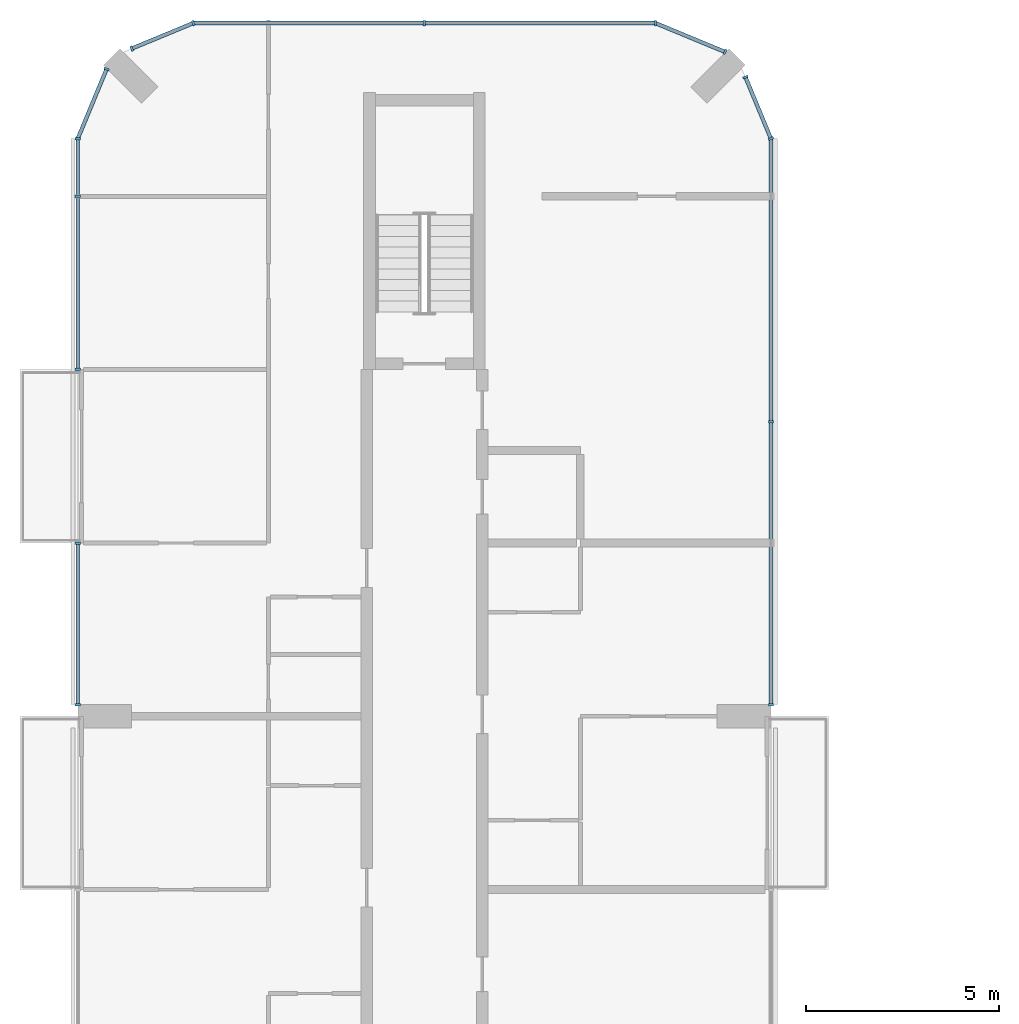
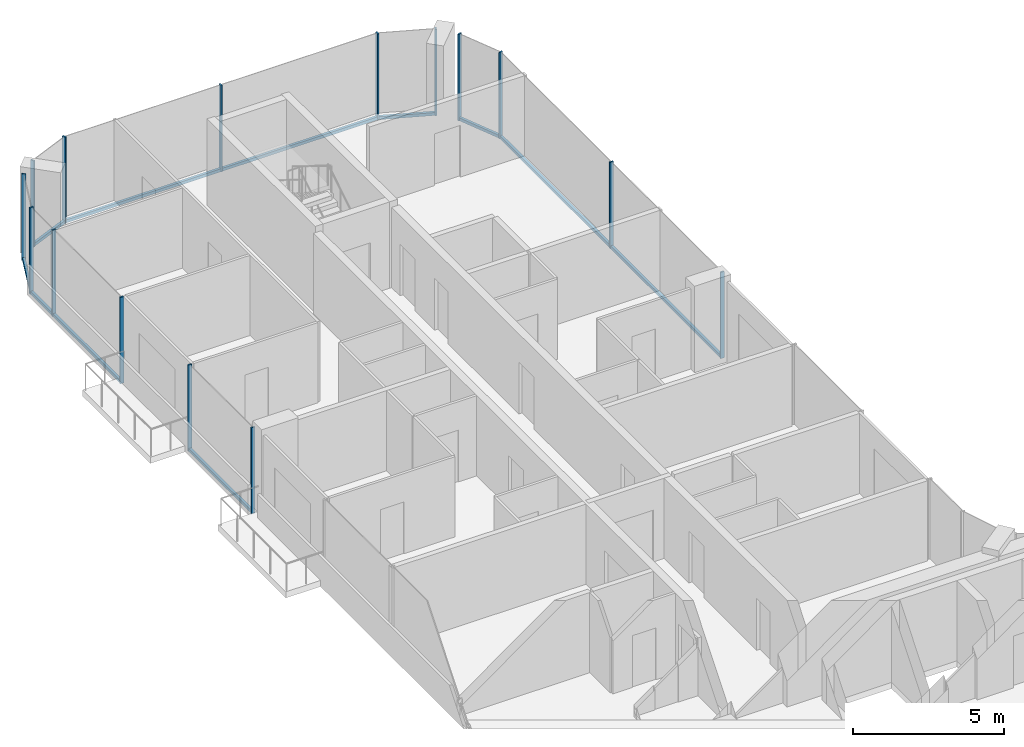
# One storey, part 7 of 15: 23 members, 8 elements without a shape of their own.
"""IFC4 building model written with IfcOpenShell, lengths in metres."""

from ifc_helpers import new_model, si_unit, direction, frame, origin, origin_2d, place, context, subcontext, project, spatial, rectangle, extrude, material, layer, layer_set, material_profile, profile_set, type_object, element, aggregate, save


model = new_model("IFC4")

# Units and contexts
model_context = context("Model", 3, precision=1e-05, world=origin(), true_north=direction((0.0, 1.0)))
body_context = subcontext(model_context, "Body", "Model", "MODEL_VIEW")
ifc_project = project(units=[si_unit("LENGTHUNIT", "METRE"), si_unit("AREAUNIT", "SQUARE_METRE"), si_unit("VOLUMEUNIT", "CUBIC_METRE"), si_unit("PLANEANGLEUNIT", "RADIAN"), si_unit("MASSUNIT", "GRAM", prefix="KILO")], contexts=[model_context])

# Site, building, storey
site_placement = place(None, origin())
site = spatial("IfcSite", under=ifc_project, at=site_placement, CompositionType="ELEMENT")
building_placement = place(site_placement, origin())
building = spatial("IfcBuilding", under=site, at=building_placement, Name="Plateau Cross Towers", CompositionType="ELEMENT")
storey_placement = place(building_placement, frame((0.0, 0.0, 156.89990234375)))
storey = spatial("IfcBuildingStorey", under=building, at=storey_placement, Name="L40", CompositionType="ELEMENT", Elevation=156.89990234375)

# Curtain wall, members
ifc_material_1 = material(Name="Dark low-iron glass", Category="glass")
ifc_layer = layer(ifc_material_1, 0.239990234375)
ifc_layer_set = layer_set([ifc_layer], Name="Dark low-iron glass")
curtain_wall_type = type_object("IfcCurtainWallType", Name="Curtain wall flush unitised CW-B", PredefinedType="NOTDEFINED", material=ifc_layer_set)
curtain_wall_1_placement = place(storey_placement, origin())
curtain_wall_1 = element("IfcCurtainWall", 1, at=curtain_wall_1_placement, inside=storey, type_object=curtain_wall_type, Name="ENV/A/L40/A180_363", PredefinedType="NOTDEFINED")
ifc_material_2 = material(Name="Black anodised aluminium", Category="aluminium")
ifc_material_profile_1 = material_profile(ifc_material_2, rectangle(XDim=0.06005859375, YDim=0.139892578125, at=origin_2d()), Name="MULLION 60x140")
ifc_profile_set_1 = profile_set([ifc_material_profile_1], Name="Black anodised aluminium")
member_type_1 = type_object("IfcMemberType", Name="Mullion 60x140 flush unitised", PredefinedType="MULLION", material=ifc_profile_set_1)
member_1_placement = place(storey_placement, frame((18.0, 36.300048828125, -0.25), z_axis=(0.0, 0.0, 1.0), x_axis=(0.0, 1.0, 0.0)))
member_1 = element("IfcMember", 2, at=member_1_placement, type_object=member_type_1, Name="CW-B mullion 1", PredefinedType="MULLION", context=body_context, shape_type="SweptSolid", body=[
    extrude(rectangle(XDim=0.06005859375, YDim=0.139892578125, at=origin_2d()), origin(), (0.0, 0.0, 1.0), 3.5),
])
member_2_placement = place(storey_placement, frame((18.0, 43.64990234375, -0.25), z_axis=(0.0, 0.0, 1.0), x_axis=(0.0, 1.0, 0.0)))
member_2 = element("IfcMember", 3, at=member_2_placement, type_object=member_type_1, Name="CW-B mullion 2", PredefinedType="MULLION", context=body_context, shape_type="SweptSolid", body=[
    extrude(rectangle(XDim=0.06005859375, YDim=0.139892578125, at=origin_2d()), origin(), (0.0, 0.0, 1.0), 3.5),
])

curtain_wall_2_placement = place(storey_placement, origin())
curtain_wall_2 = element("IfcCurtainWall", 4, at=curtain_wall_2_placement, inside=storey, type_object=curtain_wall_type, Name="ENV/A/L40/A180_510", PredefinedType="NOTDEFINED")
member_3_placement = place(storey_placement, frame((18.0, 51.0, -0.25), z_axis=(0.0, 0.0, 1.0), x_axis=(-0.382683612978, 0.923879457699, 0.0)))
member_3 = element("IfcMember", 5, at=member_3_placement, type_object=member_type_1, Name="CW-B mullion 1", PredefinedType="MULLION", context=body_context, shape_type="SweptSolid", body=[
    extrude(rectangle(XDim=0.06005859375, YDim=0.139892578125, at=origin_2d()), origin(), (0.0, 0.0, 1.0), 3.5),
])
member_4_placement = place(storey_placement, frame((17.338623046875, 52.5966796875, -0.25), z_axis=(0.0, 0.0, 1.0), x_axis=(-0.382683612978, 0.923879457699, 0.0)))
member_4 = element("IfcMember", 6, at=member_4_placement, type_object=member_type_1, Name="CW-B mullion 2", PredefinedType="MULLION", context=body_context, shape_type="SweptSolid", body=[
    extrude(rectangle(XDim=0.06005859375, YDim=0.139892578125, at=origin_2d()), origin(), (0.0, 0.0, 1.0), 3.5),
])

# Curtain wall, member
curtain_wall_3_placement = place(storey_placement, origin())
curtain_wall_3 = element("IfcCurtainWall", 7, at=curtain_wall_3_placement, inside=storey, type_object=curtain_wall_type, Name="ENV/A/L40/A168_533", PredefinedType="NOTDEFINED")
member_5_placement = place(storey_placement, frame((16.805908203125, 53.251953125, -0.25), z_axis=(0.0, 0.0, 1.0), x_axis=(-0.923879457699, 0.382683612978, 0.0)))
member_5 = element("IfcMember", 8, at=member_5_placement, type_object=member_type_1, Name="CW-B mullion 1", PredefinedType="MULLION", context=body_context, shape_type="SweptSolid", body=[
    extrude(rectangle(XDim=0.06005859375, YDim=0.139892578125, at=origin_2d()), origin(), (0.0, 0.0, 1.0), 3.5),
])

# Curtain wall, members
curtain_wall_4_placement = place(storey_placement, origin())
curtain_wall_4 = element("IfcCurtainWall", 9, at=curtain_wall_4_placement, inside=storey, type_object=curtain_wall_type, Name="ENV/A/L40/A150_540", PredefinedType="NOTDEFINED")
member_6_placement = place(storey_placement, frame((15.0, 54.0, -0.25), z_axis=(0.0, 0.0, 1.0), x_axis=(-1.0, 0.0, 0.0)))
member_6 = element("IfcMember", 10, at=member_6_placement, type_object=member_type_1, Name="CW-B mullion 1", PredefinedType="MULLION", context=body_context, shape_type="SweptSolid", body=[
    extrude(rectangle(XDim=0.06005859375, YDim=0.139892578125, at=origin_2d()), origin(), (0.0, 0.0, 1.0), 3.5),
])
member_7_placement = place(storey_placement, frame((9.0, 54.0, -0.25), z_axis=(0.0, 0.0, 1.0), x_axis=(-1.0, 0.0, 0.0)))
member_7 = element("IfcMember", 11, at=member_7_placement, type_object=member_type_1, Name="CW-B mullion 2", PredefinedType="MULLION", context=body_context, shape_type="SweptSolid", body=[
    extrude(rectangle(XDim=0.06005859375, YDim=0.139892578125, at=origin_2d()), origin(), (0.0, 0.0, 1.0), 3.5),
])

curtain_wall_5_placement = place(storey_placement, origin())
curtain_wall_5 = element("IfcCurtainWall", 12, at=curtain_wall_5_placement, inside=storey, type_object=curtain_wall_type, Name="ENV/A/L40/A30_540", PredefinedType="NOTDEFINED")
member_8_placement = place(storey_placement, frame((3.0, 54.0, -0.25), z_axis=(0.0, 0.0, 1.0), x_axis=(-0.923879457699, -0.382683612978, 0.0)))
member_8 = element("IfcMember", 13, at=member_8_placement, type_object=member_type_1, Name="CW-B mullion 1", PredefinedType="MULLION", context=body_context, shape_type="SweptSolid", body=[
    extrude(rectangle(XDim=0.06005859375, YDim=0.139892578125, at=origin_2d()), origin(), (0.0, 0.0, 1.0), 3.5),
])
member_9_placement = place(storey_placement, frame((1.4033203125, 53.338623046875, -0.25), z_axis=(0.0, 0.0, 1.0), x_axis=(-0.923879457699, -0.382683612978, 0.0)))
member_9 = element("IfcMember", 14, at=member_9_placement, type_object=member_type_1, Name="CW-B mullion 2", PredefinedType="MULLION", context=body_context, shape_type="SweptSolid", body=[
    extrude(rectangle(XDim=0.06005859375, YDim=0.139892578125, at=origin_2d()), origin(), (0.0, 0.0, 1.0), 3.5),
])

# Curtain wall, member
curtain_wall_6_placement = place(storey_placement, origin())
curtain_wall_6 = element("IfcCurtainWall", 15, at=curtain_wall_6_placement, inside=storey, type_object=curtain_wall_type, Name="ENV/A/L40/A7_528", PredefinedType="NOTDEFINED")
member_10_placement = place(storey_placement, frame((0.748046875, 52.805908203125, -0.25), z_axis=(0.0, 0.0, 1.0), x_axis=(-0.382683612978, -0.923879457699, 0.0)))
member_10 = element("IfcMember", 16, at=member_10_placement, type_object=member_type_1, Name="CW-B mullion 1", PredefinedType="MULLION", context=body_context, shape_type="SweptSolid", body=[
    extrude(rectangle(XDim=0.06005859375, YDim=0.139892578125, at=origin_2d()), origin(), (0.0, 0.0, 1.0), 3.5),
])

# Curtain wall, members
curtain_wall_7_placement = place(storey_placement, origin())
curtain_wall_7 = element("IfcCurtainWall", 17, at=curtain_wall_7_placement, inside=storey, type_object=curtain_wall_type, Name="ENV/A/L40/A0_510", PredefinedType="NOTDEFINED")
member_11_placement = place(storey_placement, frame((0.0, 51.0, -0.25), z_axis=(0.0, 0.0, 1.0), x_axis=(0.0, -1.0, 0.0)))
member_11 = element("IfcMember", 18, at=member_11_placement, type_object=member_type_1, Name="CW-B mullion 1", PredefinedType="MULLION", context=body_context, shape_type="SweptSolid", body=[
    extrude(rectangle(XDim=0.06005859375, YDim=0.139892578125, at=origin_2d()), origin(), (0.0, 0.0, 1.0), 3.5),
])
member_12_placement = place(storey_placement, frame((0.0, 49.5, -0.25), z_axis=(0.0, 0.0, 1.0), x_axis=(0.0, -1.0, 0.0)))
member_12 = element("IfcMember", 19, at=member_12_placement, type_object=member_type_1, Name="CW-B mullion 2", PredefinedType="MULLION", context=body_context, shape_type="SweptSolid", body=[
    extrude(rectangle(XDim=0.06005859375, YDim=0.139892578125, at=origin_2d()), origin(), (0.0, 0.0, 1.0), 3.5),
])
member_13_placement = place(storey_placement, frame((0.0, 45.010009765625, -0.25), z_axis=(0.0, 0.0, 1.0), x_axis=(0.0, -1.0, 0.0)))
member_13 = element("IfcMember", 20, at=member_13_placement, type_object=member_type_1, Name="CW-B mullion 3", PredefinedType="MULLION", context=body_context, shape_type="SweptSolid", body=[
    extrude(rectangle(XDim=0.06005859375, YDim=0.139892578125, at=origin_2d()), origin(), (0.0, 0.0, 1.0), 3.5),
])

curtain_wall_8_placement = place(storey_placement, origin())
curtain_wall_8 = element("IfcCurtainWall", 21, at=curtain_wall_8_placement, inside=storey, type_object=curtain_wall_type, Name="ENV/A/L40/A0_405", PredefinedType="NOTDEFINED")
member_14_placement = place(storey_placement, frame((0.0, 40.489990234375, -0.25), z_axis=(0.0, 0.0, 1.0), x_axis=(0.0, -1.0, 0.0)))
member_14 = element("IfcMember", 22, at=member_14_placement, type_object=member_type_1, Name="CW-B mullion 1", PredefinedType="MULLION", context=body_context, shape_type="SweptSolid", body=[
    extrude(rectangle(XDim=0.06005859375, YDim=0.139892578125, at=origin_2d()), origin(), (0.0, 0.0, 1.0), 3.5),
])
member_15_placement = place(storey_placement, frame((0.0, 36.300048828125, -0.25), z_axis=(0.0, 0.0, 1.0), x_axis=(0.0, -1.0, 0.0)))
member_15 = element("IfcMember", 23, at=member_15_placement, type_object=member_type_1, Name="CW-B mullion 2", PredefinedType="MULLION", context=body_context, shape_type="SweptSolid", body=[
    extrude(rectangle(XDim=0.06005859375, YDim=0.139892578125, at=origin_2d()), origin(), (0.0, 0.0, 1.0), 3.5),
])

# Member
ifc_material_profile_2 = material_profile(ifc_material_2, rectangle(XDim=0.10009765625, YDim=0.1201171875, at=origin_2d()), Name="TRANSOM 100x120")
ifc_profile_set_2 = profile_set([ifc_material_profile_2], Name="Black anodised aluminium")
member_type_2 = type_object("IfcMemberType", Name="Transom 100x120 flush unitised", PredefinedType="USERDEFINED", material=ifc_profile_set_2)
member_16_placement = place(storey_placement, frame((18.0, 36.300048828125, -0.18994140625), z_axis=(0.0, 1.0, 0.0), x_axis=(-1.0, 0.0, 0.0)))
member_16 = element("IfcMember", 24, at=member_16_placement, type_object=member_type_2, Name="CW-B transom", ObjectType="TRANSOM", PredefinedType="USERDEFINED", context=body_context, shape_type="SweptSolid", body=[
    extrude(rectangle(XDim=0.10009765625, YDim=0.1201171875, at=origin_2d()), origin(), (0.0, 0.0, 1.0), 14.699951171875),
])

aggregate(curtain_wall_1, [member_1, member_2, member_16])

member_17_placement = place(storey_placement, frame((18.0, 51.0, -0.18994140625), z_axis=(-0.382688653628, 0.923877369776, 0.0), x_axis=(-0.923877369776, -0.382688653628, 0.0)))
member_17 = element("IfcMember", 25, at=member_17_placement, type_object=member_type_2, Name="CW-B transom", ObjectType="TRANSOM", PredefinedType="USERDEFINED", context=body_context, shape_type="SweptSolid", body=[
    extrude(rectangle(XDim=0.10009765625, YDim=0.1201171875, at=origin_2d()), origin(), (0.0, 0.0, 1.0), 1.728271484375),
])

aggregate(curtain_wall_2, [member_3, member_4, member_17])

member_18_placement = place(storey_placement, frame((16.805908203125, 53.251953125, -0.18994140625), z_axis=(-0.92387678234, 0.382690071798, 0.0), x_axis=(-0.382690071798, -0.92387678234, 0.0)))
member_18 = element("IfcMember", 26, at=member_18_placement, type_object=member_type_2, Name="CW-B transom", ObjectType="TRANSOM", PredefinedType="USERDEFINED", context=body_context, shape_type="SweptSolid", body=[
    extrude(rectangle(XDim=0.10009765625, YDim=0.1201171875, at=origin_2d()), origin(), (0.0, 0.0, 1.0), 1.95458984375),
])

aggregate(curtain_wall_3, [member_5, member_18])

member_19_placement = place(storey_placement, frame((15.0, 54.0, -0.18994140625), z_axis=(-1.0, 0.0, 0.0), x_axis=(0.0, -1.0, 0.0)))
member_19 = element("IfcMember", 27, at=member_19_placement, type_object=member_type_2, Name="CW-B transom", ObjectType="TRANSOM", PredefinedType="USERDEFINED", context=body_context, shape_type="SweptSolid", body=[
    extrude(rectangle(XDim=0.10009765625, YDim=0.1201171875, at=origin_2d()), origin(), (0.0, 0.0, 1.0), 12.0),
])

aggregate(curtain_wall_4, [member_6, member_7, member_19])

member_20_placement = place(storey_placement, frame((3.0, 54.0, -0.18994140625), z_axis=(-0.923877369776, -0.382688653628, 0.0), x_axis=(0.382688653628, -0.923877369776, 0.0)))
member_20 = element("IfcMember", 28, at=member_20_placement, type_object=member_type_2, Name="CW-B transom", ObjectType="TRANSOM", PredefinedType="USERDEFINED", context=body_context, shape_type="SweptSolid", body=[
    extrude(rectangle(XDim=0.10009765625, YDim=0.1201171875, at=origin_2d()), origin(), (0.0, 0.0, 1.0), 1.728271484375),
])

aggregate(curtain_wall_5, [member_8, member_9, member_20])

member_21_placement = place(storey_placement, frame((0.748046875, 52.805908203125, -0.18994140625), z_axis=(-0.382690071798, -0.92387678234, 0.0), x_axis=(0.92387678234, -0.382690071798, 0.0)))
member_21 = element("IfcMember", 29, at=member_21_placement, type_object=member_type_2, Name="CW-B transom", ObjectType="TRANSOM", PredefinedType="USERDEFINED", context=body_context, shape_type="SweptSolid", body=[
    extrude(rectangle(XDim=0.10009765625, YDim=0.1201171875, at=origin_2d()), origin(), (0.0, 0.0, 1.0), 1.95458984375),
])

aggregate(curtain_wall_6, [member_10, member_21])

member_22_placement = place(storey_placement, frame((0.0, 51.0, -0.18994140625), z_axis=(0.0, -1.0, 0.0), x_axis=(1.0, 0.0, 0.0)))
member_22 = element("IfcMember", 30, at=member_22_placement, type_object=member_type_2, Name="CW-B transom", ObjectType="TRANSOM", PredefinedType="USERDEFINED", context=body_context, shape_type="SweptSolid", body=[
    extrude(rectangle(XDim=0.10009765625, YDim=0.1201171875, at=origin_2d()), origin(), (0.0, 0.0, 1.0), 5.989990234375),
])

aggregate(curtain_wall_7, [member_11, member_12, member_13, member_22])

member_23_placement = place(storey_placement, frame((0.0, 40.489990234375, -0.18994140625), z_axis=(0.0, -1.0, 0.0), x_axis=(1.0, 0.0, 0.0)))
member_23 = element("IfcMember", 31, at=member_23_placement, type_object=member_type_2, Name="CW-B transom", ObjectType="TRANSOM", PredefinedType="USERDEFINED", context=body_context, shape_type="SweptSolid", body=[
    extrude(rectangle(XDim=0.10009765625, YDim=0.1201171875, at=origin_2d()), origin(), (0.0, 0.0, 1.0), 4.18994140625),
])

aggregate(curtain_wall_8, [member_14, member_15, member_23])

save(model, "model.ifc")
